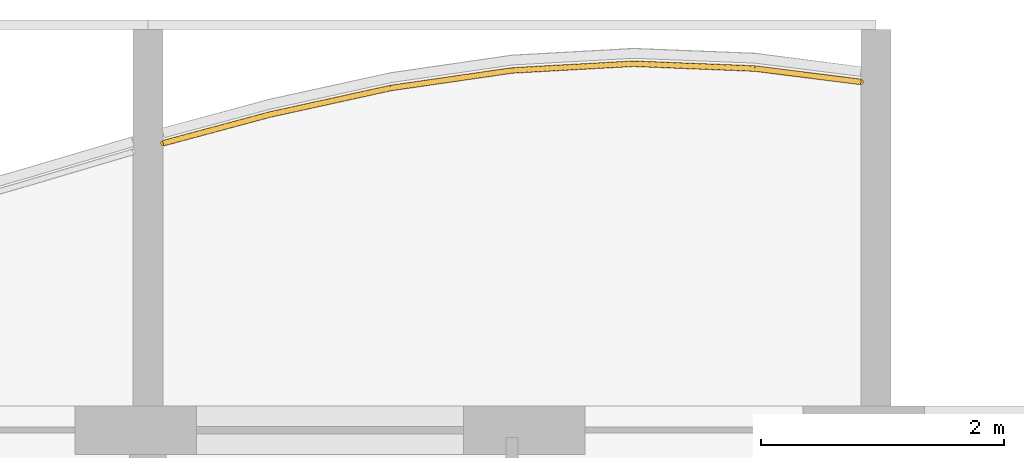
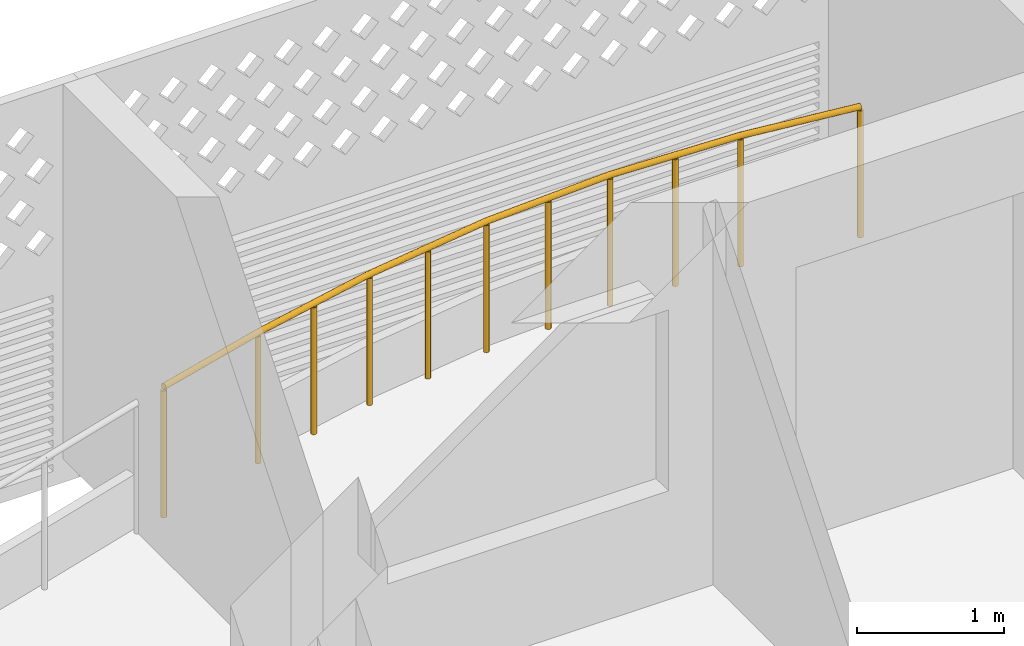
# One storey, part 23 of 32: 1 railing.
"""IFC4 building model written with IfcOpenShell, lengths in metres."""

from ifc_helpers import new_model, si_unit, direction, frame, origin, origin_2d, place, context, subcontext, project, spatial, circle, extrude, material, type_object, element, save


model = new_model("IFC4")

# Units and contexts
model_context = context("Model", 3, precision=1e-05, world=origin(), true_north=direction((0.0, 1.0)))
body_context = subcontext(model_context, "Body", "Model", "MODEL_VIEW")
ifc_project = project(units=[si_unit("LENGTHUNIT", "METRE"), si_unit("AREAUNIT", "SQUARE_METRE"), si_unit("VOLUMEUNIT", "CUBIC_METRE"), si_unit("PLANEANGLEUNIT", "RADIAN"), si_unit("MASSUNIT", "GRAM", prefix="KILO")], contexts=[model_context])

# Site, building, storey
site_placement = place(None, origin())
site = spatial("IfcSite", under=ifc_project, at=site_placement, CompositionType="ELEMENT")
building_placement = place(site_placement, origin())
building = spatial("IfcBuilding", under=site, at=building_placement, Name="Poui Terraces", CompositionType="ELEMENT")
storey_placement = place(building_placement, frame((0.0, 0.0, 125.699951171875)))
storey = spatial("IfcBuildingStorey", under=building, at=storey_placement, Name="L34", CompositionType="ELEMENT", Elevation=125.699951171875)

# Railing
ifc_material = material(Name="Painted steel fretwork", Category="steel")
railing_type = type_object("IfcRailingType", Name="BALCONY GUARD 1100", PredefinedType="GUARDRAIL", material=ifc_material)
railing_placement = place(storey_placement, frame((36.125, 44.764404296875, 0.0)))
element("IfcRailing", 1, at=railing_placement, inside=storey, type_object=railing_type, Name="BALCONY GUARD", PredefinedType="GUARDRAIL", context=body_context, shape_type="SweptSolid", body=[
    extrude(circle(Radius=0.02392578125, at=origin_2d()), frame((0.0, 0.0, 1.076171875), z_axis=(0.965678166761, 0.259741560479, 0.0), x_axis=(-0.259741560479, 0.965678166761, 0.0)), (0.0, 0.0, 1.0), 0.906005859375),
    extrude(circle(Radius=0.02392578125, at=origin_2d()), frame((0.875, 0.2353515625, 1.076171875), z_axis=(0.97675043296, 0.214379550593, 0.0), x_axis=(-0.214379550593, 0.97675043296, 0.0)), (0.0, 0.0, 1.0), 1.023681640625),
    extrude(circle(Radius=0.02392578125, at=origin_2d()), frame((1.875, 0.454833984375, 1.076171875), z_axis=(0.989647671833, 0.143518241472, 0.0), x_axis=(-0.143518241472, 0.989647671833, 0.0)), (0.0, 0.0, 1.0), 1.010498046875),
    extrude(circle(Radius=0.02392578125, at=origin_2d()), frame((2.875, 0.599853515625, 1.076171875), z_axis=(0.998467844587, 0.055335009942, 0.0), x_axis=(-0.055335009942, 0.998467844587, 0.0)), (0.0, 0.0, 1.0), 1.00146484375),
    extrude(circle(Radius=0.02392578125, at=origin_2d()), frame((3.875, 0.6552734375, 1.076171875), z_axis=(0.99920912132, -0.03976344892, 0.0), x_axis=(0.03976344892, 0.99920912132, 0.0)), (0.0, 0.0, 1.0), 1.000732421875),
    extrude(circle(Radius=0.02392578125, at=origin_2d()), frame((4.875, 0.615478515625, 1.076171875), z_axis=(0.99220958069, -0.124579885968, 0.0), x_axis=(0.124579885968, 0.99220958069, 0.0)), (0.0, 0.0, 1.0), 0.8818359375),
    extrude(circle(Radius=0.02099609375, at=origin_2d()), origin(), (0.0, 0.0, 1.0), 1.052001953125),
    extrude(circle(Radius=0.02099609375, at=origin_2d()), frame((0.875, 0.2353515625, 0.0)), (0.0, 0.0, 1.0), 1.052001953125),
    extrude(circle(Radius=0.02099609375, at=origin_2d()), frame((1.375, 0.34521484375, 0.0)), (0.0, 0.0, 1.0), 1.052001953125),
    extrude(circle(Radius=0.02099609375, at=origin_2d()), frame((1.875, 0.454833984375, 0.0)), (0.0, 0.0, 1.0), 1.052001953125),
    extrude(circle(Radius=0.02099609375, at=origin_2d()), frame((2.375, 0.52734375, 0.0)), (0.0, 0.0, 1.0), 1.052001953125),
    extrude(circle(Radius=0.02099609375, at=origin_2d()), frame((2.875, 0.599853515625, 0.0)), (0.0, 0.0, 1.0), 1.052001953125),
    extrude(circle(Radius=0.02099609375, at=origin_2d()), frame((3.375, 0.62744140625, 0.0)), (0.0, 0.0, 1.0), 1.052001953125),
    extrude(circle(Radius=0.02099609375, at=origin_2d()), frame((3.875, 0.6552734375, 0.0)), (0.0, 0.0, 1.0), 1.052001953125),
    extrude(circle(Radius=0.02099609375, at=origin_2d()), frame((4.375, 0.63525390625, 0.0)), (0.0, 0.0, 1.0), 1.052001953125),
    extrude(circle(Radius=0.02099609375, at=origin_2d()), frame((4.875, 0.615478515625, 0.0)), (0.0, 0.0, 1.0), 1.052001953125),
    extrude(circle(Radius=0.02099609375, at=origin_2d()), frame((5.75, 0.505615234375, 0.0)), (0.0, 0.0, 1.0), 1.052001953125),
])

save(model, "model.ifc")
